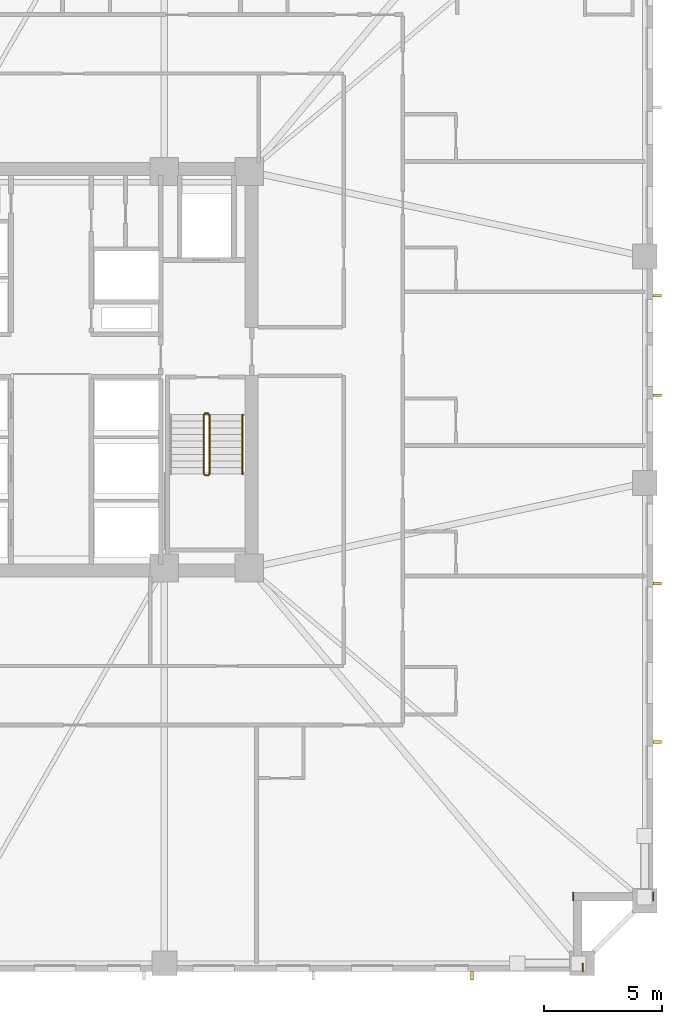
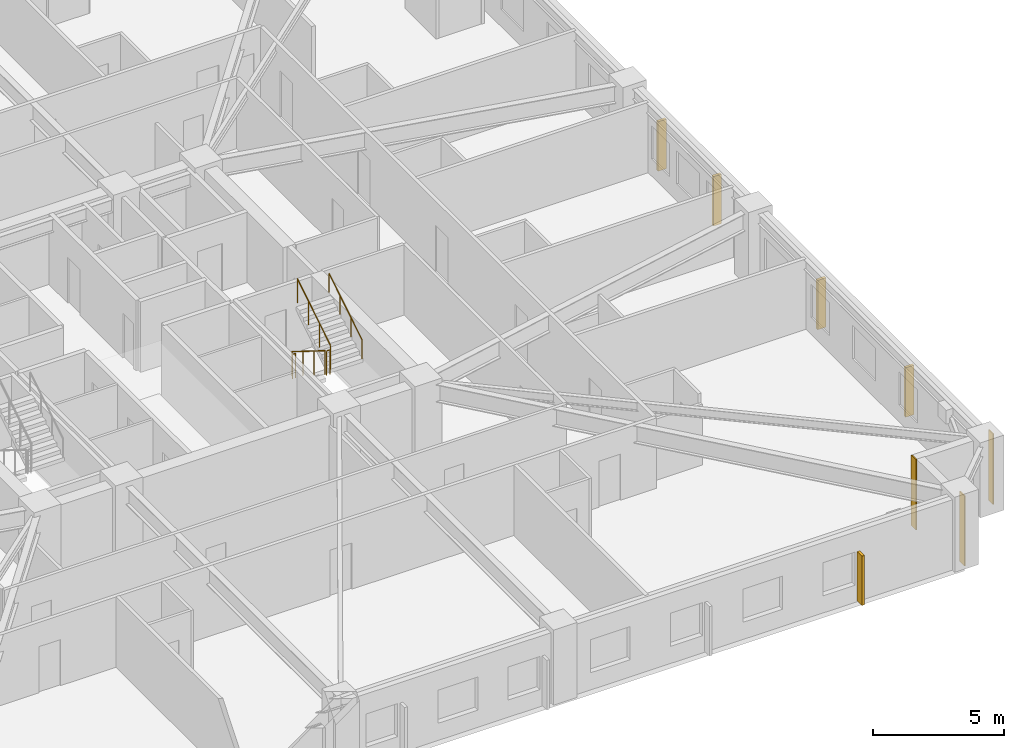
# One storey, part 10 of 12: 5 railings, 5 shading devices, 3 coverings.
"""IFC4 building model written with IfcOpenShell, lengths in metres."""

from ifc_helpers import new_model, si_unit, direction, frame, frame_2d, origin, origin_2d, place, context, subcontext, project, spatial, rectangle, circle, extrude, material, layer, layer_set, type_object, element, save


model = new_model("IFC4")

# Units and contexts
model_context = context("Model", 3, precision=1e-05, world=origin(), true_north=direction((0.0, 1.0)))
body_context = subcontext(model_context, "Body", "Model", "MODEL_VIEW")
ifc_project = project(units=[si_unit("LENGTHUNIT", "METRE"), si_unit("AREAUNIT", "SQUARE_METRE"), si_unit("VOLUMEUNIT", "CUBIC_METRE"), si_unit("PLANEANGLEUNIT", "RADIAN"), si_unit("MASSUNIT", "GRAM", prefix="KILO")], contexts=[model_context])

# Site, building, storey
site_placement = place(None, origin())
site = spatial("IfcSite", under=ifc_project, at=site_placement, CompositionType="ELEMENT")
building_placement = place(site_placement, origin())
building = spatial("IfcBuilding", under=site, at=building_placement, Name="Cairnveth Concourse Tower", CompositionType="ELEMENT")
storey_placement = place(building_placement, frame((0.0, 0.0, 90.0)))
storey = spatial("IfcBuildingStorey", under=building, at=storey_placement, Name="L24", CompositionType="ELEMENT", Elevation=90.0)

# Coverings
ifc_material_1 = material(Name="Dressed Melbourne Bluestone Cladding", Category="masonry")
ifc_layer = layer(ifc_material_1, 0.050048828125)
ifc_layer_set = layer_set([ifc_layer], Name="Dressed Melbourne Bluestone Cladding")
covering_type = type_object("IfcCoveringType", Name="DRESSED BLUESTONE PLINTH CLADDING 50", PredefinedType="CLADDING", material=ifc_layer_set)
for number, where, z_axis, x_axis, name in (
    (1, (77.52001953125, 16.860107421875, 0.0), (0.0, 0.0, 1.0), (0.0, -1.0, 0.0), "Melbourne Bluestone Corner Quoin L24-331"),
    (2, (74.1201171875, 16.860107421875, 0.0), (0.0, 0.0, 1.0), (0.0, -1.0, 0.0), "Melbourne Bluestone Corner Quoin L24-332"),
    (3, (74.52001953125, 13.860107421875, 0.0), (0.0, 0.0, 1.0), (0.0, -1.0, 0.0), "Melbourne Bluestone Corner Quoin L24-333"),
):
    element("IfcCovering", number, at=place(storey_placement, frame(where, z_axis=z_axis, x_axis=x_axis)), inside=storey, type_object=covering_type, Name=name, PredefinedType="CLADDING", context=body_context, shape_type="SweptSolid", body=[
        extrude(rectangle(XDim=0.360107421875, YDim=0.050048828125, at=frame_2d((0.18017578125, 0.0))), origin(), (0.0, 0.0, 1.0), 3.280029296875),
    ])

# Shading devices
ifc_material_2 = material(Name="Architectural Bronze Anodised Aluminium 6063-T6", Category="aluminium")
shading_device_type = type_object("IfcShadingDeviceType", Name="GOTHIC BRONZE VERTICAL LANCET FIN", PredefinedType="USERDEFINED", material=ifc_material_2)
for number, where, z_axis, x_axis, name in (
    (4, (77.675048828125, 42.13916015625, 0.02978515625), (0.0, 0.0, 1.0), (0.0, 1.0, 0.0), "Gothic Bronze Vertical Fin L24-3-5"),
    (5, (77.675048828125, 37.918701171875, 0.02978515625), (0.0, 0.0, 1.0), (0.0, 1.0, 0.0), "Gothic Bronze Vertical Fin L24-3-7"),
    (6, (77.675048828125, 29.948486328125, 0.02978515625), (0.0, 0.0, 1.0), (0.0, 1.0, 0.0), "Gothic Bronze Vertical Fin L24-3-9"),
    (7, (77.675048828125, 23.22802734375, 0.02978515625), (0.0, 0.0, 1.0), (0.0, 1.0, 0.0), "Gothic Bronze Vertical Fin L24-3-11"),
    (8, (69.829833984375, 13.324951171875, 0.02978515625), (0.0, 0.0, 1.0), (1.0, 0.0, 0.0), "Gothic Bronze Vertical Fin L24-6-1"),
):
    element("IfcShadingDevice", number, at=place(storey_placement, frame(where, z_axis=z_axis, x_axis=x_axis)), inside=storey, type_object=shading_device_type, Name=name, ObjectType="VERTICAL FIN", PredefinedType="USERDEFINED", context=body_context, shape_type="SweptSolid", body=[
        extrude(rectangle(XDim=0.1201171875, YDim=0.360107421875, at=origin_2d()), origin(), (0.0, 0.0, 1.0), 2.303955078125),
    ])

# Railings
ifc_material_3 = material(Name="Steel Grade 350", Category="steel")
railing_type_1 = type_object("IfcRailingType", Name="STAIR GUARDRAIL 1150", PredefinedType="GUARDRAIL", material=ifc_material_3)
railing_1_placement = place(storey_placement, frame((58.469970703125, 37.10009765625, 0.175048828125)))
element("IfcRailing", 9, at=railing_1_placement, inside=storey, type_object=railing_type_1, Name="L24 ST-2 stair guard 1", PredefinedType="GUARDRAIL", context=body_context, shape_type="SweptSolid", body=[
    extrude(circle(Radius=0.02392578125, at=origin_2d()), frame((0.0, 0.0, 1.1259765625), z_axis=(0.0, -0.848007534815, 0.529984170421), x_axis=(1.0, 0.0, 0.0)), (0.0, 0.0, 1.0), 2.9716796875),
    extrude(circle(Radius=0.02099609375, at=origin_2d()), origin(), (0.0, 0.0, 1.0), 1.101806640625),
    extrude(circle(Radius=0.02099609375, at=origin_2d()), frame((0.0, -0.840087890625, 0.52490234375)), (0.0, 0.0, 1.0), 1.101806640625),
    extrude(circle(Radius=0.02099609375, at=origin_2d()), frame((0.0, -1.679931640625, 1.050048828125)), (0.0, 0.0, 1.0), 1.101806640625),
    extrude(circle(Radius=0.02099609375, at=origin_2d()), frame((0.0, -2.52001953125, 1.574951171875)), (0.0, 0.0, 1.0), 1.101806640625),
])
railing_2_placement = place(storey_placement, frame((58.52001953125, 34.530029296875, 1.75)))
element("IfcRailing", 10, at=railing_2_placement, inside=storey, type_object=railing_type_1, Name="L24 ST-2 stair guard 2", PredefinedType="GUARDRAIL", context=body_context, shape_type="SweptSolid", body=[
    extrude(circle(Radius=0.02392578125, at=origin_2d()), frame((0.0, 0.0, 1.1259765625), z_axis=(1.0, 0.0, 0.0), x_axis=(0.0, 1.0, 0.0)), (0.0, 0.0, 1.0), 0.139892578125),
    extrude(circle(Radius=0.02099609375, at=origin_2d()), origin(), (0.0, 0.0, 1.0), 1.101806640625),
    extrude(circle(Radius=0.02099609375, at=origin_2d()), frame((0.139892578125, 0.0, 0.0)), (0.0, 0.0, 1.0), 1.101806640625),
])
railing_3_placement = place(storey_placement, frame((58.7099609375, 34.580078125, 1.925048828125)))
element("IfcRailing", 11, at=railing_3_placement, inside=storey, type_object=railing_type_1, Name="L24 ST-2 stair guard 3", PredefinedType="GUARDRAIL", context=body_context, shape_type="SweptSolid", body=[
    extrude(circle(Radius=0.02392578125, at=origin_2d()), frame((0.0, 0.0, 1.1259765625), z_axis=(0.0, 0.848007534815, 0.529984170421), x_axis=(-1.0, 0.0, 0.0)), (0.0, 0.0, 1.0), 2.9716796875),
    extrude(circle(Radius=0.02099609375, at=origin_2d()), origin(), (0.0, 0.0, 1.0), 1.101806640625),
    extrude(circle(Radius=0.02099609375, at=origin_2d()), frame((0.0, 0.840087890625, 0.52490234375)), (0.0, 0.0, 1.0), 1.101806640625),
    extrude(circle(Radius=0.02099609375, at=origin_2d()), frame((0.0, 1.679931640625, 1.050048828125)), (0.0, 0.0, 1.0), 1.101806640625),
    extrude(circle(Radius=0.02099609375, at=origin_2d()), frame((0.0, 2.52001953125, 1.574951171875)), (0.0, 0.0, 1.0), 1.101806640625),
])
railing_4_placement = place(storey_placement, frame((58.52001953125, 37.14990234375, 0.0)))
element("IfcRailing", 12, at=railing_4_placement, inside=storey, type_object=railing_type_1, Name="L24 ST-2 stair guard 4", PredefinedType="GUARDRAIL", context=body_context, shape_type="SweptSolid", body=[
    extrude(circle(Radius=0.02392578125, at=origin_2d()), frame((0.0, 0.0, 1.1259765625), z_axis=(1.0, 0.0, 0.0), x_axis=(0.0, 1.0, 0.0)), (0.0, 0.0, 1.0), 0.139892578125),
    extrude(circle(Radius=0.02099609375, at=origin_2d()), origin(), (0.0, 0.0, 1.0), 1.101806640625),
    extrude(circle(Radius=0.02099609375, at=origin_2d()), frame((0.139892578125, 0.0, 0.0)), (0.0, 0.0, 1.0), 1.101806640625),
])
railing_type_2 = type_object("IfcRailingType", Name="STAIR WALL HANDRAIL 900", PredefinedType="HANDRAIL", material=ifc_material_3)
railing_5_placement = place(storey_placement, frame((60.110107421875, 34.580078125, 1.925048828125)))
element("IfcRailing", 13, at=railing_5_placement, inside=storey, type_object=railing_type_2, Name="L24 ST-2 stair handrail 2", PredefinedType="HANDRAIL", context=body_context, shape_type="SweptSolid", body=[
    extrude(circle(Radius=0.02392578125, at=origin_2d()), frame((0.0, 0.0, 0.8759765625), z_axis=(0.0, 0.848007534815, 0.529984170421), x_axis=(-1.0, 0.0, 0.0)), (0.0, 0.0, 1.0), 2.9716796875),
    extrude(circle(Radius=0.02099609375, at=origin_2d()), origin(), (0.0, 0.0, 1.0), 0.851806640625),
    extrude(circle(Radius=0.02099609375, at=origin_2d()), frame((0.0, 0.840087890625, 0.52490234375)), (0.0, 0.0, 1.0), 0.851806640625),
    extrude(circle(Radius=0.02099609375, at=origin_2d()), frame((0.0, 1.679931640625, 1.050048828125)), (0.0, 0.0, 1.0), 0.851806640625),
    extrude(circle(Radius=0.02099609375, at=origin_2d()), frame((0.0, 2.52001953125, 1.574951171875)), (0.0, 0.0, 1.0), 0.851806640625),
])

save(model, "model.ifc")
